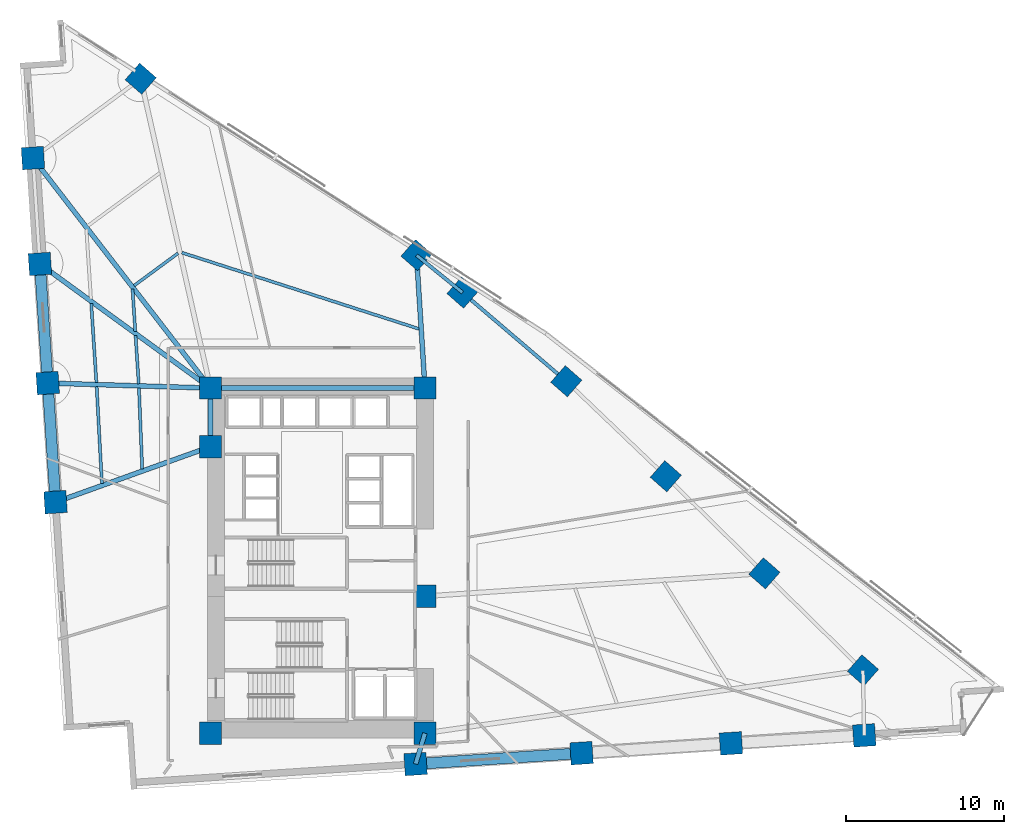
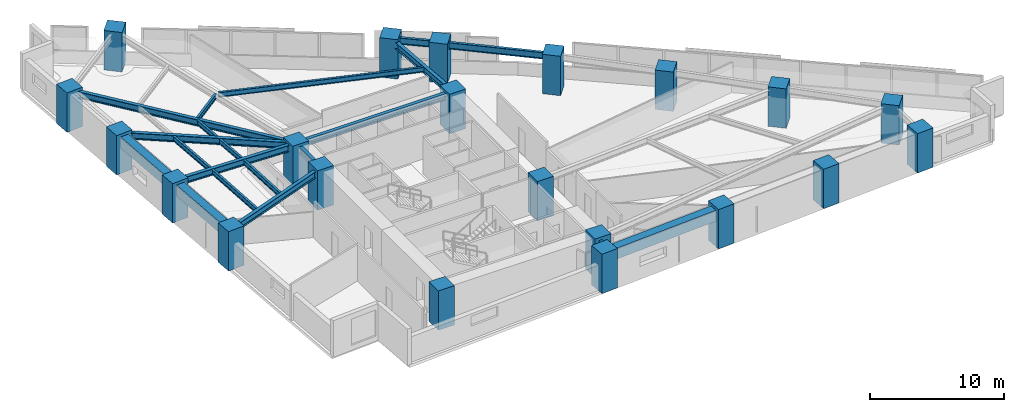
# One storey, part 1 of 15: 21 columns, 20 beams.
"""IFC4 building model written with IfcOpenShell, lengths in metres."""

from ifc_helpers import new_model, si_unit, direction, frame, origin, origin_2d, place, context, subcontext, project, spatial, rectangle, i_section, extrude, material, material_profile, profile_set, type_object, element, save


model = new_model("IFC4")

# Units and contexts
model_context = context("Model", 3, precision=1e-05, world=origin(), true_north=direction((0.0, 1.0)))
body_context = subcontext(model_context, "Body", "Model", "MODEL_VIEW")
ifc_project = project(units=[si_unit("LENGTHUNIT", "METRE"), si_unit("AREAUNIT", "SQUARE_METRE"), si_unit("VOLUMEUNIT", "CUBIC_METRE"), si_unit("PLANEANGLEUNIT", "RADIAN"), si_unit("MASSUNIT", "GRAM", prefix="KILO")], contexts=[model_context])

# Site, building, storey
site_placement = place(None, origin())
site = spatial("IfcSite", under=ifc_project, at=site_placement, CompositionType="ELEMENT")
building_placement = place(site_placement, origin())
building = spatial("IfcBuilding", under=site, at=building_placement, Name="Narakoshi Arena Tower", CompositionType="ELEMENT")
storey_placement = place(building_placement, frame((0.0, 0.0, 70.5)))
storey = spatial("IfcBuildingStorey", under=building, at=storey_placement, Name="L18", CompositionType="ELEMENT", Elevation=70.5)

# Columns
ifc_material_1 = material(Name="Concrete C60/75", Category="concrete")
ifc_material_profile_1 = material_profile(ifc_material_1, rectangle(XDim=1.39990234375, YDim=1.39990234375, at=origin_2d()), Name="RC1400x1400")
ifc_profile_set_1 = profile_set([ifc_material_profile_1], Name="Concrete C60/75")
column_type = type_object("IfcColumnType", Name="COL-RC1400", PredefinedType="COLUMN", material=ifc_profile_set_1)
for number, where, z_axis, x_axis, name in (
    (1, (72.0, 34.699951171875, 0.0), (0.0, 0.0, 1.0), (1.0, 0.0, 0.0), "L18 Core Structural Column CC1"),
    (2, (85.550048828125, 34.699951171875, 0.0), (0.0, 0.0, 1.0), (1.0, 0.0, 0.0), "L18 Core Structural Column CC2"),
    (3, (85.550048828125, 43.35009765625, 0.0), (0.0, 0.0, 1.0), (1.0, 0.0, 0.0), "L18 Core Structural Column CC3"),
    (4, (72.0, 52.800048828125, 0.0), (0.0, 0.0, 1.0), (1.0, 0.0, 0.0), "L18 Core Structural Column CC4"),
    (5, (72.0, 56.5, 0.0), (0.0, 0.0, 1.0), (1.0, 0.0, 0.0), "L18 Core Structural Column CC5"),
    (6, (85.550048828125, 56.5, 0.0), (0.0, 0.0, 1.0), (1.0, 0.0, 0.0), "L18 Core Structural Column CC6"),
    (7, (84.95703125, 32.7509765625, 0.0), (0.0, 0.0, 1.0), (0.997858923239, 0.06540312923, 0.0), "L18 Tower Perimeter Column TC01"),
    (8, (95.44189453125, 33.43798828125, 0.0), (0.0, 0.0, 1.0), (0.997858923239, 0.06540312923, 0.0), "L18 Tower Perimeter Column TC02"),
    (9, (104.8779296875, 34.056640625, 0.0), (0.0, 0.0, 1.0), (0.997858923239, 0.06540312923, 0.0), "L18 Tower Perimeter Column TC03"),
    (10, (113.299560546875, 34.5634765625, 0.0), (0.0, 0.0, 1.0), (0.997858923239, 0.06540312923, 0.0), "L18 Tower Perimeter Column TC04"),
    (11, (113.21630859375, 38.669189453125, 0.0), (0.0, 0.0, 1.0), (0.6593458151, 0.751839807479, 0.0), "L18 Tower Perimeter Column TC05"),
    (12, (106.989990234375, 44.800537109375, 0.0), (0.0, 0.0, 1.0), (0.6593458151, 0.751839807479, 0.0), "L18 Tower Perimeter Column TC06"),
    (13, (100.76318359375, 50.931640625, 0.0), (0.0, 0.0, 1.0), (0.6593458151, 0.751839807479, 0.0), "L18 Tower Perimeter Column TC07"),
    (14, (94.47900390625, 56.934814453125, 0.0), (0.0, 0.0, 1.0), (0.6593458151, 0.751839807479, 0.0), "L18 Tower Perimeter Column TC08"),
    (15, (87.922607421875, 62.534423828125, 0.0), (0.0, 0.0, 1.0), (0.6593458151, 0.751839807479, 0.0), "L18 Tower Perimeter Column TC09"),
    (16, (85.0146484375, 64.89794921875, 0.0), (0.0, 0.0, 1.0), (0.6593458151, 0.751839807479, 0.0), "L18 Tower Perimeter Column TC10"),
    (17, (67.58984375, 76.04345703125, 0.0), (0.0, 0.0, 1.0), (0.6593458151, 0.751839807479, 0.0), "L18 Tower Perimeter Column TC11"),
    (18, (60.785400390625, 71.031005859375, 0.0), (0.0, 0.0, 1.0), (-0.06540312923, 0.997858923239, 0.0), "L18 Tower Perimeter Column TC13"),
    (19, (61.223876953125, 64.343017578125, 0.0), (0.0, 0.0, 1.0), (-0.06540312923, 0.997858923239, 0.0), "L18 Tower Perimeter Column TC14"),
    (20, (61.716796875, 56.819091796875, 0.0), (0.0, 0.0, 1.0), (-0.06540312923, 0.997858923239, 0.0), "L18 Tower Perimeter Column TC15"),
    (21, (62.210205078125, 49.294921875, 0.0), (0.0, 0.0, 1.0), (-0.06540312923, 0.997858923239, 0.0), "L18 Tower Perimeter Column TC16"),
):
    element("IfcColumn", number, at=place(storey_placement, frame(where, z_axis=z_axis, x_axis=x_axis)), inside=storey, type_object=column_type, Name=name, PredefinedType="COLUMN", context=body_context, shape_type="SweptSolid", body=[
        extrude(rectangle(XDim=1.39990234375, YDim=1.39990234375, at=origin_2d()), origin(), (0.0, 0.0, 1.0), 3.60009765625),
    ])

# Beams
ifc_material_profile_2 = material_profile(ifc_material_1, rectangle(XDim=0.699951171875, YDim=1.0, at=origin_2d()), Name="RCB700x1000")
ifc_profile_set_2 = profile_set([ifc_material_profile_2], Name="Concrete C60/75")
beam_type_1 = type_object("IfcBeamType", Name="BM-CPL-1000", PredefinedType="BEAM", material=ifc_profile_set_2)
beam_1_placement = place(storey_placement, frame((84.95703125, 32.7509765625, 2.840087890625), z_axis=(0.997860180992, 0.065383936788, 0.0), x_axis=(-0.065383936788, 0.997860180992, 0.0)))
element("IfcBeam", 22, at=beam_1_placement, inside=storey, type_object=beam_type_1, Name="L18 Perimeter Edge Girder 01", PredefinedType="BEAM", context=body_context, shape_type="SweptSolid", body=[
    extrude(rectangle(XDim=0.699951171875, YDim=1.0, at=origin_2d()), origin(), (0.0, 0.0, 1.0), 10.50732421875),
])
beam_2_placement = place(storey_placement, frame((61.223876953125, 64.343017578125, 2.840087890625), z_axis=(0.065373518191, -0.997860863607, 0.0), x_axis=(0.997860863607, 0.065373518191, 0.0)))
element("IfcBeam", 23, at=beam_2_placement, inside=storey, type_object=beam_type_1, Name="L18 Perimeter Edge Girder 13", PredefinedType="BEAM", context=body_context, shape_type="SweptSolid", body=[
    extrude(rectangle(XDim=0.699951171875, YDim=1.0, at=origin_2d()), origin(), (0.0, 0.0, 1.0), 7.5400390625),
])
beam_3_placement = place(storey_placement, frame((61.716796875, 56.819091796875, 2.840087890625), z_axis=(0.06543588513, -0.997856775764, 0.0), x_axis=(0.997856775764, 0.06543588513, 0.0)))
element("IfcBeam", 24, at=beam_3_placement, inside=storey, type_object=beam_type_1, Name="L18 Perimeter Edge Girder 14", PredefinedType="BEAM", context=body_context, shape_type="SweptSolid", body=[
    extrude(rectangle(XDim=0.699951171875, YDim=1.0, at=origin_2d()), origin(), (0.0, 0.0, 1.0), 7.540283203125),
])
ifc_material_2 = material(Name="Structural steel S355J2", Category="steel")
ifc_material_profile_3 = material_profile(ifc_material_2, i_section(OverallWidth=0.219970703125, OverallDepth=0.60009765625, WebThickness=0.011962890625, FlangeThickness=0.01904296875, FilletRadius=0.02392578125, at=origin_2d()), Name="IPE600")
ifc_profile_set_3 = profile_set([ifc_material_profile_3], Name="Structural steel S355J2")
beam_type_2 = type_object("IfcBeamType", Name="BM-EDGE-600", PredefinedType="BEAM", material=ifc_profile_set_3)
beam_4_placement = place(storey_placement, frame((94.47900390625, 56.934814453125, 3.0400390625), z_axis=(-0.760410675305, 0.649442533934, 0.0), x_axis=(-0.649442533934, -0.760410675305, 0.0)))
element("IfcBeam", 25, at=beam_4_placement, inside=storey, type_object=beam_type_2, Name="L18 Perimeter Edge Girder 08", PredefinedType="BEAM", context=body_context, shape_type="SweptSolid", body=[
    extrude(i_section(OverallWidth=0.219970703125, OverallDepth=0.60009765625, WebThickness=0.011962890625, FlangeThickness=0.01904296875, FilletRadius=0.02392578125, at=origin_2d()), origin(), (0.0, 0.0, 1.0), 8.6220703125),
])
beam_5_placement = place(storey_placement, frame((87.922607421875, 62.534423828125, 3.0400390625), z_axis=(-0.776008368668, 0.630722610786, 0.0), x_axis=(-0.630722610786, -0.776008368668, 0.0)))
element("IfcBeam", 26, at=beam_5_placement, inside=storey, type_object=beam_type_2, Name="L18 Perimeter Edge Girder 09", PredefinedType="BEAM", context=body_context, shape_type="SweptSolid", body=[
    extrude(i_section(OverallWidth=0.219970703125, OverallDepth=0.60009765625, WebThickness=0.011962890625, FlangeThickness=0.01904296875, FilletRadius=0.02392578125, at=origin_2d()), origin(), (0.0, 0.0, 1.0), 3.747314453125),
])
ifc_material_profile_4 = material_profile(ifc_material_2, i_section(OverallWidth=0.300048828125, OverallDepth=0.60009765625, WebThickness=0.015380859375, FlangeThickness=0.030029296875, FilletRadius=0.027099609375, at=origin_2d()), Name="HE600B")
ifc_profile_set_4 = profile_set([ifc_material_profile_4], Name="Structural steel S355J2")
beam_type_3 = type_object("IfcBeamType", Name="BM-PRI-600", PredefinedType="BEAM", material=ifc_profile_set_4)
beam_6_placement = place(storey_placement, frame((85.550048828125, 34.699951171875, 3.0400390625), z_axis=(-0.291094852197, -0.956694197236, 0.0), x_axis=(0.956694197236, -0.291094852197, 0.0)))
element("IfcBeam", 27, at=beam_6_placement, inside=storey, type_object=beam_type_3, Name="L18 Radial Primary Floor Girder 01", PredefinedType="BEAM", context=body_context, shape_type="SweptSolid", body=[
    extrude(i_section(OverallWidth=0.300048828125, OverallDepth=0.60009765625, WebThickness=0.015380859375, FlangeThickness=0.030029296875, FilletRadius=0.027099609375, at=origin_2d()), origin(), (0.0, 0.0, 1.0), 2.037109375),
])
beam_7_placement = place(storey_placement, frame((85.550048828125, 56.5, 3.0400390625), z_axis=(-0.063624535653, 0.997973906704, 0.0), x_axis=(-0.997973906704, -0.063624535653, 0.0)))
element("IfcBeam", 28, at=beam_7_placement, inside=storey, type_object=beam_type_3, Name="L18 Radial Primary Floor Girder 10", PredefinedType="BEAM", context=body_context, shape_type="SweptSolid", body=[
    extrude(i_section(OverallWidth=0.300048828125, OverallDepth=0.60009765625, WebThickness=0.015380859375, FlangeThickness=0.030029296875, FilletRadius=0.027099609375, at=origin_2d()), origin(), (0.0, 0.0, 1.0), 8.4150390625),
])
beam_8_placement = place(storey_placement, frame((72.0, 56.5, 3.0400390625), z_axis=(-0.610973069948, 0.791651380216, 0.0), x_axis=(-0.791651380216, -0.610973069948, 0.0)))
element("IfcBeam", 29, at=beam_8_placement, inside=storey, type_object=beam_type_3, Name="L18 Radial Primary Floor Girder 12", PredefinedType="BEAM", context=body_context, shape_type="SweptSolid", body=[
    extrude(i_section(OverallWidth=0.300048828125, OverallDepth=0.60009765625, WebThickness=0.015380859375, FlangeThickness=0.030029296875, FilletRadius=0.027099609375, at=origin_2d()), origin(), (0.0, 0.0, 1.0), 18.355224609375),
])
beam_9_placement = place(storey_placement, frame((72.0, 56.5, 3.0400390625), z_axis=(-0.808527706159, 0.588458110976, 0.0), x_axis=(-0.588458110976, -0.808527706159, 0.0)))
element("IfcBeam", 30, at=beam_9_placement, inside=storey, type_object=beam_type_3, Name="L18 Radial Primary Floor Girder 13", PredefinedType="BEAM", context=body_context, shape_type="SweptSolid", body=[
    extrude(i_section(OverallWidth=0.300048828125, OverallDepth=0.60009765625, WebThickness=0.015380859375, FlangeThickness=0.030029296875, FilletRadius=0.027099609375, at=origin_2d()), origin(), (0.0, 0.0, 1.0), 13.328125),
])
beam_10_placement = place(storey_placement, frame((72.0, 56.5, 3.0400390625), z_axis=(-0.99951890487, 0.031015460795, 0.0), x_axis=(-0.031015460795, -0.99951890487, 0.0)))
element("IfcBeam", 31, at=beam_10_placement, inside=storey, type_object=beam_type_3, Name="L18 Radial Primary Floor Girder 14", PredefinedType="BEAM", context=body_context, shape_type="SweptSolid", body=[
    extrude(i_section(OverallWidth=0.300048828125, OverallDepth=0.60009765625, WebThickness=0.015380859375, FlangeThickness=0.030029296875, FilletRadius=0.027099609375, at=origin_2d()), origin(), (0.0, 0.0, 1.0), 10.2880859375),
])
beam_11_placement = place(storey_placement, frame((72.0, 52.800048828125, 3.0400390625), z_axis=(-0.941474424124, -0.33708442373, 0.0), x_axis=(0.33708442373, -0.941474424124, 0.0)))
element("IfcBeam", 32, at=beam_11_placement, inside=storey, type_object=beam_type_3, Name="L18 Radial Primary Floor Girder 15", PredefinedType="BEAM", context=body_context, shape_type="SweptSolid", body=[
    extrude(i_section(OverallWidth=0.300048828125, OverallDepth=0.60009765625, WebThickness=0.015380859375, FlangeThickness=0.030029296875, FilletRadius=0.027099609375, at=origin_2d()), origin(), (0.0, 0.0, 1.0), 10.3984375),
])
beam_12_placement = place(storey_placement, frame((72.0, 52.800048828125, 3.0400390625), z_axis=(0.0, 1.0, 0.0), x_axis=(-1.0, 0.0, 0.0)))
element("IfcBeam", 33, at=beam_12_placement, inside=storey, type_object=beam_type_3, Name="L18 Core Perimeter Frame Beam CC4-CC5", PredefinedType="BEAM", context=body_context, shape_type="SweptSolid", body=[
    extrude(i_section(OverallWidth=0.300048828125, OverallDepth=0.60009765625, WebThickness=0.015380859375, FlangeThickness=0.030029296875, FilletRadius=0.027099609375, at=origin_2d()), origin(), (0.0, 0.0, 1.0), 3.699951171875),
])
beam_13_placement = place(storey_placement, frame((72.0, 56.5, 3.0400390625), z_axis=(1.0, 0.0, 0.0), x_axis=(0.0, 1.0, 0.0)))
element("IfcBeam", 34, at=beam_13_placement, inside=storey, type_object=beam_type_3, Name="L18 Core Perimeter Frame Beam CC5-CC6", PredefinedType="BEAM", context=body_context, shape_type="SweptSolid", body=[
    extrude(i_section(OverallWidth=0.300048828125, OverallDepth=0.60009765625, WebThickness=0.015380859375, FlangeThickness=0.030029296875, FilletRadius=0.027099609375, at=origin_2d()), origin(), (0.0, 0.0, 1.0), 13.550048828125),
])
ifc_material_profile_5 = material_profile(ifc_material_2, i_section(OverallWidth=0.18994140625, OverallDepth=0.449951171875, WebThickness=0.009521484375, FlangeThickness=0.0146484375, FilletRadius=0.02099609375, at=origin_2d()), Name="IPE450")
ifc_profile_set_5 = profile_set([ifc_material_profile_5], Name="Structural steel S355J2")
beam_type_4 = type_object("IfcBeamType", Name="BM-SEC-450", PredefinedType="JOIST", material=ifc_profile_set_5)
beam_14_placement = place(storey_placement, frame((85.185791015625, 60.236328125, 3.114990234375), z_axis=(-0.952013564506, 0.306055833137, 0.0), x_axis=(-0.306055833137, -0.952013564506, 0.0)))
element("IfcBeam", 35, at=beam_14_placement, inside=storey, type_object=beam_type_4, Name="L18 Composite Secondary Floor Joist 03", PredefinedType="JOIST", context=body_context, shape_type="SweptSolid", body=[
    extrude(i_section(OverallWidth=0.18994140625, OverallDepth=0.449951171875, WebThickness=0.009521484375, FlangeThickness=0.0146484375, FilletRadius=0.02099609375, at=origin_2d()), origin(), (0.0, 0.0, 1.0), 15.753662109375),
])
beam_15_placement = place(storey_placement, frame((69.950927734375, 65.01904296875, 3.114990234375), z_axis=(-0.805127005692, -0.593102440314, 0.0), x_axis=(0.593102440314, -0.805127005692, 0.0)))
element("IfcBeam", 36, at=beam_15_placement, inside=storey, type_object=beam_type_4, Name="L18 Composite Secondary Floor Joist 04", PredefinedType="JOIST", context=body_context, shape_type="SweptSolid", body=[
    extrude(i_section(OverallWidth=0.18994140625, OverallDepth=0.449951171875, WebThickness=0.009521484375, FlangeThickness=0.0146484375, FilletRadius=0.02099609375, at=origin_2d()), origin(), (0.0, 0.0, 1.0), 3.44873046875),
])
beam_16_placement = place(storey_placement, frame((67.074462890625, 62.7587890625, 3.114990234375), z_axis=(0.065345470492, -0.997862700719, 0.0), x_axis=(0.997862700719, 0.065345470492, 0.0)))
element("IfcBeam", 37, at=beam_16_placement, inside=storey, type_object=beam_type_4, Name="L18 Composite Secondary Floor Joist 06", PredefinedType="JOIST", context=body_context, shape_type="SweptSolid", body=[
    extrude(i_section(OverallWidth=0.18994140625, OverallDepth=0.449951171875, WebThickness=0.009521484375, FlangeThickness=0.0146484375, FilletRadius=0.02099609375, at=origin_2d()), origin(), (0.0, 0.0, 1.0), 2.6787109375),
])
beam_17_placement = place(storey_placement, frame((67.267333984375, 59.816162109375, 3.114990234375), z_axis=(0.065370474263, -0.997861063022, 0.0), x_axis=(0.997861063022, 0.065370474263, 0.0)))
element("IfcBeam", 38, at=beam_17_placement, inside=storey, type_object=beam_type_4, Name="L18 Composite Secondary Floor Joist 08", PredefinedType="JOIST", context=body_context, shape_type="SweptSolid", body=[
    extrude(i_section(OverallWidth=0.18994140625, OverallDepth=0.449951171875, WebThickness=0.009521484375, FlangeThickness=0.0146484375, FilletRadius=0.02099609375, at=origin_2d()), origin(), (0.0, 0.0, 1.0), 3.047607421875),
])
beam_18_placement = place(storey_placement, frame((64.465576171875, 61.85546875, 3.114990234375), z_axis=(0.065370380739, -0.997861069148, 0.0), x_axis=(0.997861069148, 0.065370380739, 0.0)))
element("IfcBeam", 39, at=beam_18_placement, inside=storey, type_object=beam_type_4, Name="L18 Composite Secondary Floor Joist 09", PredefinedType="JOIST", context=body_context, shape_type="SweptSolid", body=[
    extrude(i_section(OverallWidth=0.18994140625, OverallDepth=0.449951171875, WebThickness=0.009521484375, FlangeThickness=0.0146484375, FilletRadius=0.02099609375, at=origin_2d()), origin(), (0.0, 0.0, 1.0), 5.00830078125),
])
beam_19_placement = place(storey_placement, frame((67.48095703125, 56.505615234375, 3.114990234375), z_axis=(0.04026717626, -0.999188948356, 0.0), x_axis=(0.999188948356, 0.04026717626, 0.0)))
element("IfcBeam", 40, at=beam_19_placement, inside=storey, type_object=beam_type_4, Name="L18 Composite Secondary Floor Joist 10", PredefinedType="JOIST", context=body_context, shape_type="SweptSolid", body=[
    extrude(i_section(OverallWidth=0.18994140625, OverallDepth=0.449951171875, WebThickness=0.009521484375, FlangeThickness=0.0146484375, FilletRadius=0.02099609375, at=origin_2d()), origin(), (0.0, 0.0, 1.0), 5.1171875),
])
beam_20_placement = place(storey_placement, frame((64.80908203125, 56.58837890625, 3.114990234375), z_axis=(0.05408820703, -0.998536161519, 0.0), x_axis=(0.998536161519, 0.05408820703, 0.0)))
element("IfcBeam", 41, at=beam_20_placement, inside=storey, type_object=beam_type_4, Name="L18 Composite Secondary Floor Joist 11", PredefinedType="JOIST", context=body_context, shape_type="SweptSolid", body=[
    extrude(i_section(OverallWidth=0.18994140625, OverallDepth=0.449951171875, WebThickness=0.009521484375, FlangeThickness=0.0146484375, FilletRadius=0.02099609375, at=origin_2d()), origin(), (0.0, 0.0, 1.0), 6.1162109375),
])

save(model, "model.ifc")
